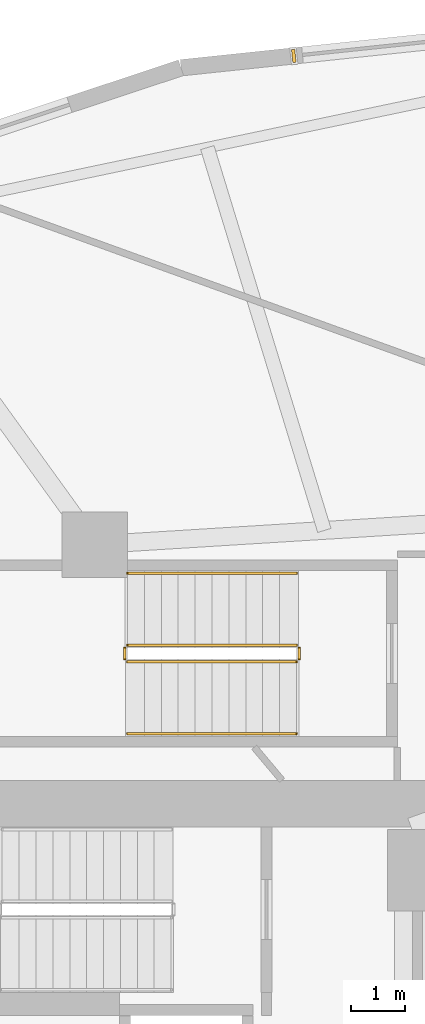
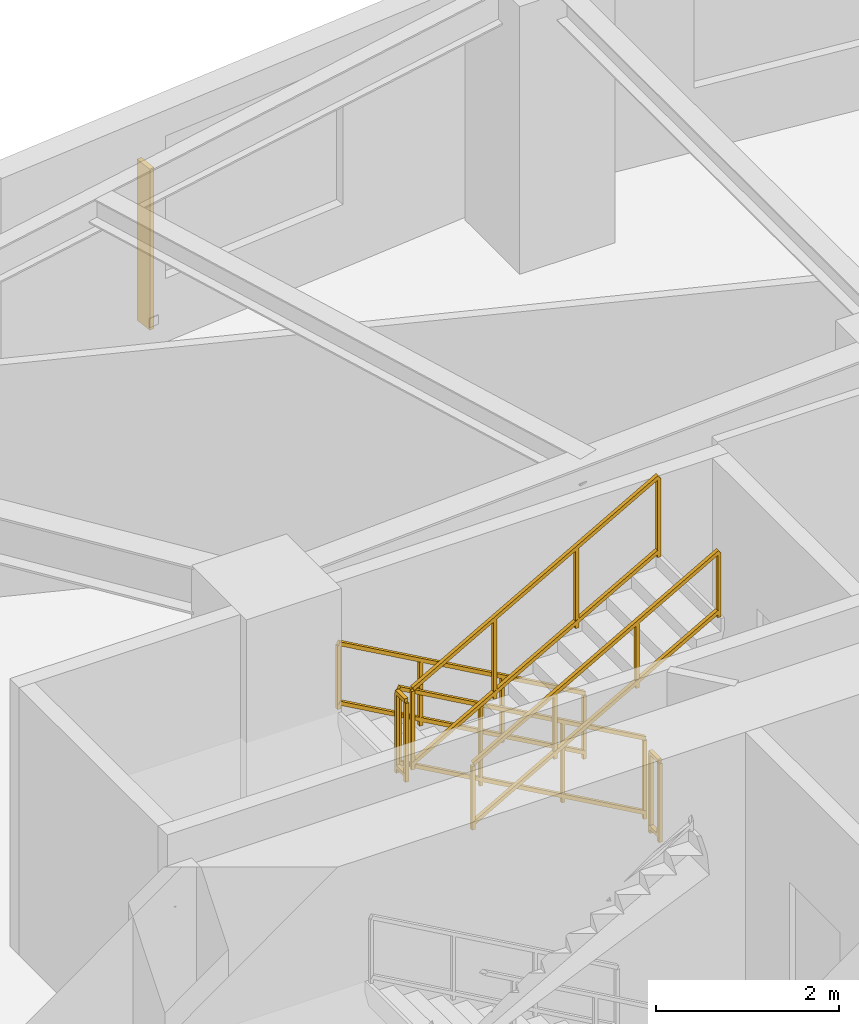
# One storey, part 13 of 13: 6 railings, 1 shading device.
"""IFC4 building model written with IfcOpenShell, lengths in metres."""

from ifc_helpers import new_model, si_unit, direction, frame, origin, origin_2d, place, context, subcontext, project, spatial, rectangle, extrude, material, type_object, element, save


model = new_model("IFC4")

# Units and contexts
model_context = context("Model", 3, precision=1e-05, world=origin(), true_north=direction((0.0, 1.0)))
body_context = subcontext(model_context, "Body", "Model", "MODEL_VIEW")
ifc_project = project(units=[si_unit("LENGTHUNIT", "METRE"), si_unit("AREAUNIT", "SQUARE_METRE"), si_unit("VOLUMEUNIT", "CUBIC_METRE"), si_unit("PLANEANGLEUNIT", "RADIAN"), si_unit("MASSUNIT", "GRAM", prefix="KILO")], contexts=[model_context])

# Site, building, storey
site_placement = place(None, origin())
site = spatial("IfcSite", under=ifc_project, at=site_placement, CompositionType="ELEMENT")
building_placement = place(site_placement, origin())
building = spatial("IfcBuilding", under=site, at=building_placement, Name="Kolvaren Gate Tower and Convention Centre", CompositionType="ELEMENT")
storey_placement = place(building_placement, frame((0.0, 0.0, 76.550048828125)))
storey = spatial("IfcBuildingStorey", under=building, at=storey_placement, Name="L18", CompositionType="ELEMENT", Elevation=76.550048828125)

# Railings
ifc_material_1 = material(Name="Brushed Stainless Steel Grade 316L", Category="steel")
railing_type_1 = type_object("IfcRailingType", Name="ARCH-RL-GUARD-1150", PredefinedType="GUARDRAIL", material=ifc_material_1)
railing_1_placement = place(storey_placement, frame((25.39990234375, 36.830078125, 0.175048828125)))
element("IfcRailing", 1, at=railing_1_placement, inside=storey, type_object=railing_type_1, Name="L18 ST-T3 stair guard 1", PredefinedType="GUARDRAIL", context=body_context, shape_type="SweptSolid", body=[
    extrude(rectangle(XDim=0.048095703125, YDim=0.048095703125, at=origin_2d()), frame((0.0, 0.0, 1.076171875), z_axis=(-0.870814364268, 0.0, 0.491611984175), x_axis=(0.0, -1.0, 0.0)), (0.0, 0.0, 1.0), 3.559814453125),
    extrude(rectangle(XDim=0.048095703125, YDim=0.048095703125, at=origin_2d()), frame((0.0, 0.0, 0.083984375), z_axis=(-0.870814364268, 0.0, 0.491611984175), x_axis=(0.0, -1.0, 0.0)), (0.0, 0.0, 1.0), 3.559814453125),
    extrude(rectangle(XDim=0.0419921875, YDim=0.0419921875, at=origin_2d()), origin(), (0.0, 0.0, 1.0), 1.050048828125),
    extrude(rectangle(XDim=0.0419921875, YDim=0.0419921875, at=origin_2d()), frame((-3.099853515625, 0.0, 1.75)), (0.0, 0.0, 1.0), 1.050048828125),
    extrude(rectangle(XDim=0.0419921875, YDim=0.0419921875, at=origin_2d()), frame((-1.033203125, 0.0, 0.583251953125)), (0.0, 0.0, 1.0), 1.050048828125),
    extrude(rectangle(XDim=0.0419921875, YDim=0.0419921875, at=origin_2d()), frame((-2.066650390625, 0.0, 1.166748046875)), (0.0, 0.0, 1.0), 1.050048828125),
])
railing_2_placement = place(storey_placement, frame((22.25, 36.780029296875, 1.925048828125)))
element("IfcRailing", 2, at=railing_2_placement, inside=storey, type_object=railing_type_1, Name="L18 ST-T3 stair guard 2", PredefinedType="GUARDRAIL", context=body_context, shape_type="SweptSolid", body=[
    extrude(rectangle(XDim=0.048095703125, YDim=0.048095703125, at=origin_2d()), frame((0.0, 0.0, 1.076171875), z_axis=(0.0, -1.0, 0.0), x_axis=(1.0, 0.0, 0.0)), (0.0, 0.0, 1.0), 0.199951171875),
    extrude(rectangle(XDim=0.048095703125, YDim=0.048095703125, at=origin_2d()), frame((0.0, 0.0, 0.083984375), z_axis=(0.0, -1.0, 0.0), x_axis=(1.0, 0.0, 0.0)), (0.0, 0.0, 1.0), 0.199951171875),
    extrude(rectangle(XDim=0.0419921875, YDim=0.0419921875, at=origin_2d()), origin(), (0.0, 0.0, 1.0), 1.050048828125),
    extrude(rectangle(XDim=0.0419921875, YDim=0.0419921875, at=origin_2d()), frame((0.0, -0.199951171875, 0.0)), (0.0, 0.0, 1.0), 1.050048828125),
])
railing_3_placement = place(storey_placement, frame((22.300048828125, 36.530029296875, 2.099853515625)))
element("IfcRailing", 3, at=railing_3_placement, inside=storey, type_object=railing_type_1, Name="L18 ST-T3 stair guard 3", PredefinedType="GUARDRAIL", context=body_context, shape_type="SweptSolid", body=[
    extrude(rectangle(XDim=0.048095703125, YDim=0.048095703125, at=origin_2d()), frame((0.0, 0.0, 1.076171875), z_axis=(0.870814364268, 0.0, 0.491611984175), x_axis=(0.0, 1.0, 0.0)), (0.0, 0.0, 1.0), 3.559814453125),
    extrude(rectangle(XDim=0.048095703125, YDim=0.048095703125, at=origin_2d()), frame((0.0, 0.0, 0.083984375), z_axis=(0.870814364268, 0.0, 0.491611984175), x_axis=(0.0, 1.0, 0.0)), (0.0, 0.0, 1.0), 3.559814453125),
    extrude(rectangle(XDim=0.0419921875, YDim=0.0419921875, at=origin_2d()), origin(), (0.0, 0.0, 1.0), 1.050048828125),
    extrude(rectangle(XDim=0.0419921875, YDim=0.0419921875, at=origin_2d()), frame((3.099853515625, 0.0, 1.75)), (0.0, 0.0, 1.0), 1.050048828125),
    extrude(rectangle(XDim=0.0419921875, YDim=0.0419921875, at=origin_2d()), frame((1.033203125, 0.0, 0.583251953125)), (0.0, 0.0, 1.0), 1.050048828125),
    extrude(rectangle(XDim=0.0419921875, YDim=0.0419921875, at=origin_2d()), frame((2.066650390625, 0.0, 1.166748046875)), (0.0, 0.0, 1.0), 1.050048828125),
])
railing_4_placement = place(storey_placement, frame((25.449951171875, 36.780029296875, 0.0)))
element("IfcRailing", 4, at=railing_4_placement, inside=storey, type_object=railing_type_1, Name="L18 ST-T3 stair guard 4", PredefinedType="GUARDRAIL", context=body_context, shape_type="SweptSolid", body=[
    extrude(rectangle(XDim=0.048095703125, YDim=0.048095703125, at=origin_2d()), frame((0.0, 0.0, 1.076171875), z_axis=(0.0, -1.0, 0.0), x_axis=(1.0, 0.0, 0.0)), (0.0, 0.0, 1.0), 0.199951171875),
    extrude(rectangle(XDim=0.048095703125, YDim=0.048095703125, at=origin_2d()), frame((0.0, 0.0, 0.083984375), z_axis=(0.0, -1.0, 0.0), x_axis=(1.0, 0.0, 0.0)), (0.0, 0.0, 1.0), 0.199951171875),
    extrude(rectangle(XDim=0.0419921875, YDim=0.0419921875, at=origin_2d()), origin(), (0.0, 0.0, 1.0), 1.050048828125),
    extrude(rectangle(XDim=0.0419921875, YDim=0.0419921875, at=origin_2d()), frame((0.0, -0.199951171875, 0.0)), (0.0, 0.0, 1.0), 1.050048828125),
])
railing_type_2 = type_object("IfcRailingType", Name="ARCH-RL-HANDRAIL-920", PredefinedType="HANDRAIL", material=ifc_material_1)
railing_5_placement = place(storey_placement, frame((25.39990234375, 38.14990234375, 0.175048828125)))
element("IfcRailing", 5, at=railing_5_placement, inside=storey, type_object=railing_type_2, Name="L18 ST-T3 stair handrail 1", PredefinedType="HANDRAIL", context=body_context, shape_type="SweptSolid", body=[
    extrude(rectangle(XDim=0.048095703125, YDim=0.048095703125, at=origin_2d()), frame((0.0, 0.0, 0.8759765625), z_axis=(-0.870814364268, 0.0, 0.491611984175), x_axis=(0.0, -1.0, 0.0)), (0.0, 0.0, 1.0), 3.559814453125),
    extrude(rectangle(XDim=0.048095703125, YDim=0.048095703125, at=origin_2d()), frame((0.0, 0.0, 0.083984375), z_axis=(-0.870814364268, 0.0, 0.491611984175), x_axis=(0.0, -1.0, 0.0)), (0.0, 0.0, 1.0), 3.559814453125),
    extrude(rectangle(XDim=0.0419921875, YDim=0.0419921875, at=origin_2d()), origin(), (0.0, 0.0, 1.0), 0.849853515625),
    extrude(rectangle(XDim=0.0419921875, YDim=0.0419921875, at=origin_2d()), frame((-3.099853515625, 0.0, 1.75)), (0.0, 0.0, 1.0), 0.849853515625),
    extrude(rectangle(XDim=0.0419921875, YDim=0.0419921875, at=origin_2d()), frame((-1.033203125, 0.0, 0.583251953125)), (0.0, 0.0, 1.0), 0.849853515625),
    extrude(rectangle(XDim=0.0419921875, YDim=0.0419921875, at=origin_2d()), frame((-2.066650390625, 0.0, 1.166748046875)), (0.0, 0.0, 1.0), 0.849853515625),
])
railing_6_placement = place(storey_placement, frame((22.300048828125, 35.2099609375, 2.099853515625)))
element("IfcRailing", 6, at=railing_6_placement, inside=storey, type_object=railing_type_2, Name="L18 ST-T3 stair handrail 2", PredefinedType="HANDRAIL", context=body_context, shape_type="SweptSolid", body=[
    extrude(rectangle(XDim=0.048095703125, YDim=0.048095703125, at=origin_2d()), frame((0.0, 0.0, 0.8759765625), z_axis=(0.870814364268, 0.0, 0.491611984175), x_axis=(0.0, 1.0, 0.0)), (0.0, 0.0, 1.0), 3.559814453125),
    extrude(rectangle(XDim=0.048095703125, YDim=0.048095703125, at=origin_2d()), frame((0.0, 0.0, 0.083984375), z_axis=(0.870814364268, 0.0, 0.491611984175), x_axis=(0.0, 1.0, 0.0)), (0.0, 0.0, 1.0), 3.559814453125),
    extrude(rectangle(XDim=0.0419921875, YDim=0.0419921875, at=origin_2d()), origin(), (0.0, 0.0, 1.0), 0.849853515625),
    extrude(rectangle(XDim=0.0419921875, YDim=0.0419921875, at=origin_2d()), frame((3.099853515625, 0.0, 1.75)), (0.0, 0.0, 1.0), 0.849853515625),
    extrude(rectangle(XDim=0.0419921875, YDim=0.0419921875, at=origin_2d()), frame((1.033203125, 0.0, 0.583251953125)), (0.0, 0.0, 1.0), 0.849853515625),
    extrude(rectangle(XDim=0.0419921875, YDim=0.0419921875, at=origin_2d()), frame((2.066650390625, 0.0, 1.166748046875)), (0.0, 0.0, 1.0), 0.849853515625),
])

# Shading device
ifc_material_2 = material(Name="Kiln-Fired Bogota Terracotta Ceramic Louvre Profile", Category="masonry")
shading_device_type = type_object("IfcShadingDeviceType", Name="ARCH-SHD-FIN-180", PredefinedType="JALOUSIE", material=ifc_material_2)
shading_device_placement = place(storey_placement, frame((25.35107421875, 47.647216796875, 0.219970703125), z_axis=(0.0, 0.0, 1.0), x_axis=(0.994498884311, 0.104747167526, 0.0)))
element("IfcShadingDevice", 7, at=shading_device_placement, inside=storey, type_object=shading_device_type, Name="Ceramic Vertical Brise-Soleil Fin FN-L18-06", PredefinedType="JALOUSIE", context=body_context, shape_type="SweptSolid", body=[
    extrude(rectangle(XDim=0.06005859375, YDim=0.239990234375, at=origin_2d()), origin(), (0.0, 0.0, 1.0), 2.14990234375),
])

save(model, "model.ifc")
